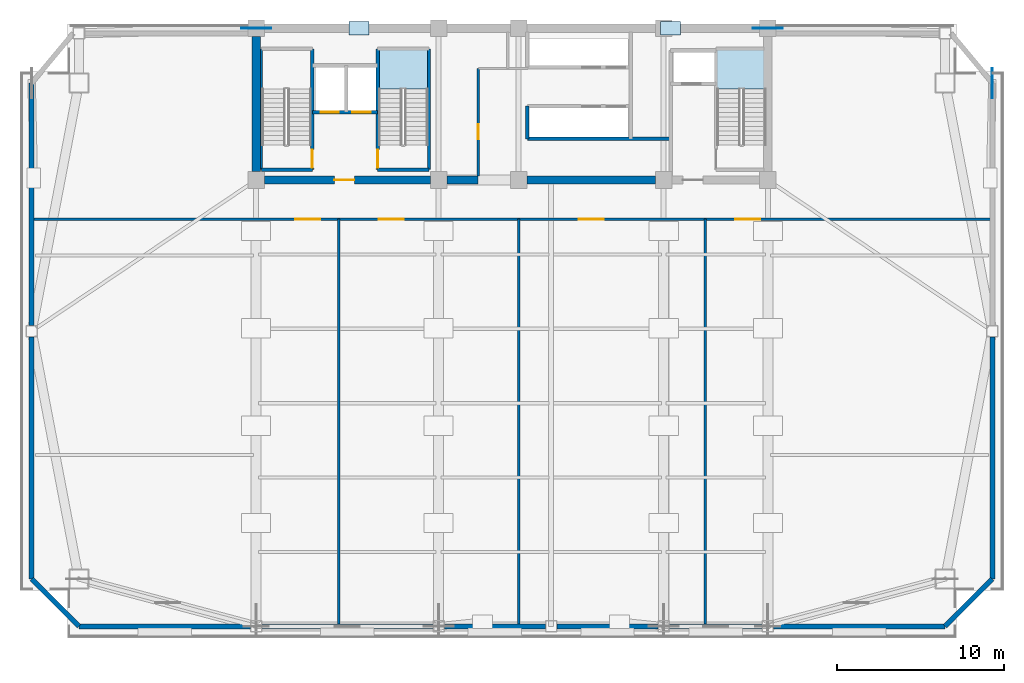
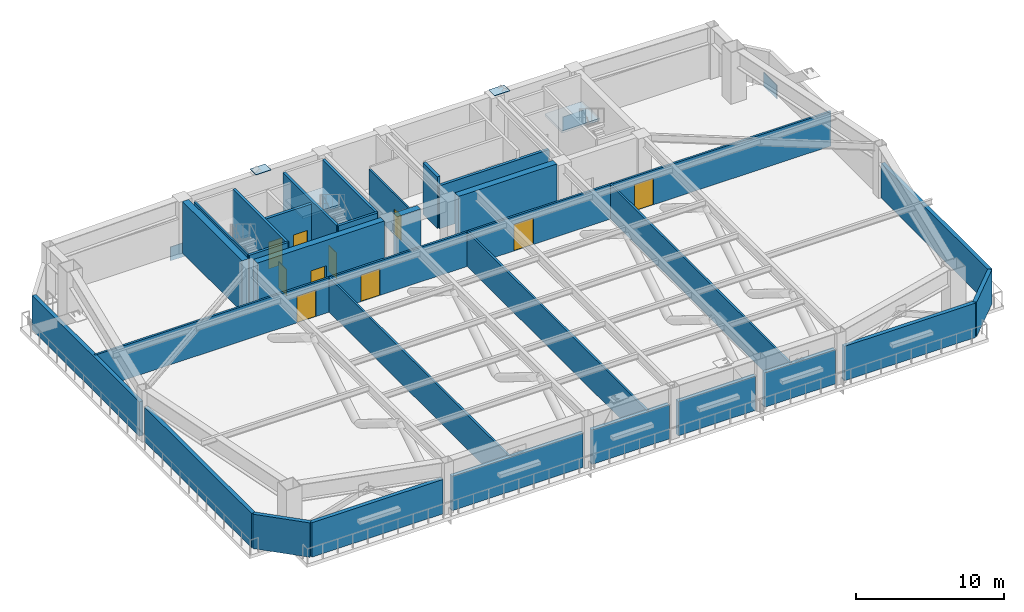
# One storey, part 3 of 11: 29 walls, 10 doors, 5 plates, 2 slabs, 10 openings, 2 elements without a shape of their own.
"""IFC4 building model written with IfcOpenShell, lengths in metres."""

import ifcopenshell
import ifcopenshell.guid

model = None  # the IFC model being written
_history = None  # IfcOwnerHistory: only IFC2X3 demands one
_inside = {}  # id of a spatial element -> (the spatial element, [elements in it])
_under = {}  # id of a project, library or spatial element -> (it, [spatial elements below it])
_declared = {}  # id of a project -> (the project, [libraries it declares])
_typed = {}  # id of a type object -> (the type object, [elements of that type])
_made_of = {}  # id of a material, layer set ... -> (it, [elements and type objects made of it])


def new_model(schema):
    """Start an empty IFC model of exactly this schema.

    Asked for "IFC4X3", IfcOpenShell would pick the latest addendum, in which some entities
    have other attributes; the version numbers below select the first issue.
    IFC2X3 requires an IfcOwnerHistory on every rooted entity: one is made here for all.
    """
    global model, _history
    if schema == "IFC4X3":
        model = ifcopenshell.file(schema_version=(4, 3, 0, 0))
    else:
        model = ifcopenshell.file(schema=schema)
    _inside.clear()
    _under.clear()
    _declared.clear()
    _typed.clear()
    _made_of.clear()
    _history = None
    if model.schema == "IFC2X3":
        org = make("IfcOrganization", Name="unknown")
        user = make(
            "IfcPersonAndOrganization",
            ThePerson=make("IfcPerson", FamilyName="unknown"),
            TheOrganization=org,
        )
        app = make(
            "IfcApplication",
            ApplicationDeveloper=org,
            Version="unknown",
            ApplicationFullName="unknown",
            ApplicationIdentifier="unknown",
        )
        _history = make(
            "IfcOwnerHistory",
            OwningUser=user,
            OwningApplication=app,
            ChangeAction="ADDED",
            CreationDate=0,
        )
    return model


def make(cls, **values):
    """One entity of the class cls with the attributes given. An attribute that is None is left unset."""
    return model.create_entity(
        cls, **{name: value for name, value in values.items() if value is not None}
    )


def rooted(cls, **values):
    """An entity with a GlobalId (a new one), such as an element, a storey or a relation."""
    return make(cls, GlobalId=ifcopenshell.guid.new(), OwnerHistory=_history, **values)


def si_unit(unit_type, name, prefix=None):
    """IfcSIUnit, for example si_unit("LENGTHUNIT", "METRE", prefix="MILLI")."""
    return make("IfcSIUnit", UnitType=unit_type, Prefix=prefix, Name=name)


def assignment(units):
    """IfcUnitAssignment: the units of a project."""
    return None if units is None else make("IfcUnitAssignment", Units=units)


def point(xyz):
    """IfcCartesianPoint."""
    return None if xyz is None else make("IfcCartesianPoint", Coordinates=xyz)


def direction(xyz):
    """IfcDirection."""
    return None if xyz is None else make("IfcDirection", DirectionRatios=xyz)


def frame(location, z_axis=None, x_axis=None):
    """IfcAxis2Placement3D, a coordinate frame: its origin and axes. An axis left out is left unset."""
    return make(
        "IfcAxis2Placement3D",
        Location=point(location),
        Axis=direction(z_axis),
        RefDirection=direction(x_axis),
    )


def frame_2d(location, x_axis=None):
    """IfcAxis2Placement2D, a coordinate frame in the plane: its origin and x axis."""
    return make(
        "IfcAxis2Placement2D", Location=point(location), RefDirection=direction(x_axis)
    )


def origin():
    """The frame at (0, 0, 0) with its axes left unset."""
    return frame((0.0, 0.0, 0.0))


def origin_2d():
    """The frame at (0, 0) in the plane with its x axis left unset."""
    return frame_2d((0.0, 0.0))


def place(relative_to, where):
    """IfcLocalPlacement: puts the frame where relative to a parent placement (None: the world)."""
    return make(
        "IfcLocalPlacement", PlacementRelTo=relative_to, RelativePlacement=where
    )


def context(
    kind, dimensions, precision=None, world=None, true_north=None, identifier=None
):
    """IfcGeometricRepresentationContext, for example the 3D "Model" context."""
    return make(
        "IfcGeometricRepresentationContext",
        ContextIdentifier=identifier,
        ContextType=kind,
        CoordinateSpaceDimension=dimensions,
        Precision=precision,
        WorldCoordinateSystem=world,
        TrueNorth=true_north,
    )


def subcontext(parent, identifier, kind, view, scale=None):
    """IfcGeometricRepresentationSubContext, for example "Body" below "Model"."""
    return make(
        "IfcGeometricRepresentationSubContext",
        ContextIdentifier=identifier,
        ContextType=kind,
        ParentContext=parent,
        TargetScale=scale,
        TargetView=view,
    )


def project(units=None, contexts=None):
    """IfcProject with its units and contexts."""
    return rooted(
        "IfcProject",
        Name="project",
        RepresentationContexts=contexts,
        UnitsInContext=assignment(units),
    )


def spatial(cls, under=None, at=None, **own):
    """A site, building, storey or space (cls), placed at a placement, below another one or the project."""
    s = rooted(cls, ObjectPlacement=at, **own)
    if under is not None:
        _under.setdefault(under.id(), (under, []))[1].append(s)
    return s


def polyline(points):
    """IfcPolyline through the points."""
    return make("IfcPolyline", Points=[point(p) for p in points])


def profile(cls, at=None, kind="AREA", **sizes):
    """A parametric profile (cls). Its sizes go by their IFC names, for example OverallWidth=200.0."""
    return make(cls, ProfileType=kind, Position=at, **sizes)


def rectangle(**sizes):
    """IfcRectangleProfileDef."""
    return profile("IfcRectangleProfileDef", **sizes)


def outline(outer, holes=None, kind="AREA"):
    """IfcArbitraryClosedProfileDef: a profile drawn as a closed curve; with holes, ...WithVoids."""
    if holes is None:
        return make("IfcArbitraryClosedProfileDef", ProfileType=kind, OuterCurve=outer)
    return make(
        "IfcArbitraryProfileDefWithVoids",
        ProfileType=kind,
        OuterCurve=outer,
        InnerCurves=holes,
    )


def extrude(swept, where, along, depth):
    """IfcExtrudedAreaSolid: the profile swept, set in the frame where, extruded along a direction by depth."""
    return make(
        "IfcExtrudedAreaSolid",
        SweptArea=swept,
        Position=where,
        ExtrudedDirection=direction(along),
        Depth=depth,
    )


def shape(context_of_items, identifier, shape_type, items):
    """IfcShapeRepresentation: the items that make up one representation, for example the "Body"."""
    return make(
        "IfcShapeRepresentation",
        ContextOfItems=context_of_items,
        RepresentationIdentifier=identifier,
        RepresentationType=shape_type,
        Items=items,
    )


def source(mapping_origin, context_of_items, identifier, shape_type, items):
    """IfcRepresentationMap: a shape defined once, which mapped items show again and again."""
    return make(
        "IfcRepresentationMap",
        MappingOrigin=mapping_origin,
        MappedRepresentation=shape(context_of_items, identifier, shape_type, items),
    )


def transform(
    local_origin,
    x_axis=None,
    y_axis=None,
    z_axis=None,
    scale=None,
    scale2=None,
    scale3=None,
    uniform=True,
):
    """IfcCartesianTransformationOperator3D, or its non-uniform kind. x_axis, y_axis, z_axis: its Axis1, 2, 3."""
    if uniform:
        return make(
            "IfcCartesianTransformationOperator3D",
            Axis1=direction(x_axis),
            Axis2=direction(y_axis),
            LocalOrigin=point(local_origin),
            Scale=scale,
            Axis3=direction(z_axis),
        )
    return make(
        "IfcCartesianTransformationOperator3DnonUniform",
        Axis1=direction(x_axis),
        Axis2=direction(y_axis),
        LocalOrigin=point(local_origin),
        Scale=scale,
        Axis3=direction(z_axis),
        Scale2=scale2,
        Scale3=scale3,
    )


def mapped(mapping_source, mapping_target):
    """IfcMappedItem: shows the shape of a source again, moved by a transform."""
    return make(
        "IfcMappedItem", MappingSource=mapping_source, MappingTarget=mapping_target
    )


def material(Name=None, Category=None):
    """IfcMaterial."""
    return make("IfcMaterial", Name=Name, Category=Category)


def layer(
    of_material, thickness, ventilated=None, Name=None, Category=None, Priority=None
):
    """IfcMaterialLayer: one layer of a wall or slab, of a material (None: an air gap)."""
    return make(
        "IfcMaterialLayer",
        Material=of_material,
        LayerThickness=thickness,
        IsVentilated=ventilated,
        Name=Name,
        Category=Category,
        Priority=Priority,
    )


def layer_set(layers, Name=None):
    """IfcMaterialLayerSet."""
    return make("IfcMaterialLayerSet", MaterialLayers=layers, LayerSetName=Name)


def made_of(thing, what):
    """Note that an element or type object is made of a material, layer set ...; save() writes the relation."""
    if what is not None:
        _made_of.setdefault(what.id(), (what, []))[1].append(thing)
    return thing


def type_object(cls, material=None, **own):
    """A type object (cls), such as IfcWallType, which elements share."""
    return made_of(rooted(cls, **own), material)


def element(
    cls,
    number,
    at=None,
    inside=None,
    cuts=None,
    type_object=None,
    material=None,
    context=None,
    identifier="Body",
    shape_type=None,
    held_by="IfcProductDefinitionShape",
    body=None,
    shapes=None,
    **own,
):
    """One element of the class cls, such as IfcWall. Its Tag is "e" and its number.

    at: its placement. inside: the storey or other place that contains it. cuts: it is an
    opening in that element (IfcRelVoidsElement). A single representation is given by context,
    identifier, shape_type and body (its items); several are given by shapes. held_by: the class
    of the entity that holds the representations. save() writes the other relations.
    """
    e = rooted(cls, Tag="e%d" % number, ObjectPlacement=at, **own)
    if body is not None:
        shapes = [shape(context, identifier, shape_type, body)]
    if shapes is not None:
        e.Representation = make(held_by, Representations=shapes)
    if inside is not None:
        _inside.setdefault(inside.id(), (inside, []))[1].append(e)
    if cuts is not None:
        rooted(
            "IfcRelVoidsElement", RelatingBuildingElement=cuts, RelatedOpeningElement=e
        )
    if type_object is not None:
        _typed.setdefault(type_object.id(), (type_object, []))[1].append(e)
    return made_of(e, material)


def fill(opening, filler):
    """IfcRelFillsElement: the door or window that sits in an opening."""
    return rooted(
        "IfcRelFillsElement",
        RelatingOpeningElement=opening,
        RelatedBuildingElement=filler,
    )


def aggregate(whole, parts):
    """IfcRelAggregates: a whole, such as a stair, and the parts it consists of."""
    return rooted("IfcRelAggregates", RelatingObject=whole, RelatedObjects=parts)


def save(model, path):
    """Write the relations noted so far, then the file.

    IfcRelAggregates (storeys below a building ...), IfcRelContainedInSpatialStructure (elements
    in a storey), IfcRelDefinesByType, IfcRelAssociatesMaterial and IfcRelDeclares: one each for
    every whole, place, type object, material and project.
    """
    for whole, parts in _under.values():
        aggregate(whole, parts)
    for where, things in _inside.values():
        rooted(
            "IfcRelContainedInSpatialStructure",
            RelatedElements=things,
            RelatingStructure=where,
        )
    for kind, things in _typed.values():
        rooted("IfcRelDefinesByType", RelatedObjects=things, RelatingType=kind)
    for what, things in _made_of.values():
        rooted("IfcRelAssociatesMaterial", RelatedObjects=things, RelatingMaterial=what)
    for by, libraries in _declared.values():
        rooted("IfcRelDeclares", RelatingContext=by, RelatedDefinitions=libraries)
    model.write(path)


model = new_model("IFC4")

# Units and contexts
model_context = context("Model", 3, precision=1e-05, world=origin(), true_north=direction((0.0, 1.0)))
body_context = subcontext(model_context, "Body", "Model", "MODEL_VIEW")
ifc_project = project(units=[si_unit("LENGTHUNIT", "METRE"), si_unit("AREAUNIT", "SQUARE_METRE"), si_unit("VOLUMEUNIT", "CUBIC_METRE"), si_unit("PLANEANGLEUNIT", "RADIAN"), si_unit("MASSUNIT", "GRAM", prefix="KILO")], contexts=[model_context])

# Site, building, storey
site_placement = place(None, origin())
site = spatial("IfcSite", under=ifc_project, at=site_placement, CompositionType="ELEMENT")
building_placement = place(site_placement, origin())
building = spatial("IfcBuilding", under=site, at=building_placement, Name="Giltprow Tower", CompositionType="ELEMENT")
storey_placement = place(building_placement, frame((0.0, 0.0, 191.199951171875)))
storey = spatial("IfcBuildingStorey", under=building, at=storey_placement, Name="L48", CompositionType="ELEMENT", Elevation=191.199951171875)

# Stair, slab
ifc_material_1 = material(Name="Concrete C40", Category="concrete")
stair_type_1 = type_object("IfcStairType", Name="STR-ST-2", PredefinedType="HALF_TURN_STAIR", material=ifc_material_1)
stair_1_placement = place(storey_placement, origin())
stair_1 = element("IfcStair", 1, at=stair_1_placement, inside=storey, type_object=stair_type_1, Name="L48 Core Exit Stair ST-2", PredefinedType="HALF_TURN_STAIR")
ifc_layer_1 = layer(ifc_material_1, 0.18798828125, Name="Concrete C40")
ifc_layer_set_1 = layer_set([ifc_layer_1], Name="Concrete C40")
slab_type_1 = type_object("IfcSlabType", Name="SLD-ST-2", PredefinedType="LANDING", material=ifc_layer_set_1)
slab_1_placement = place(storey_placement, frame((0.0, 0.0, 2.06201171875)))
slab_1 = element("IfcSlab", 2, at=slab_1_placement, type_object=slab_type_1, Name="ST-2 landing 1", PredefinedType="LANDING", context=body_context, shape_type="SweptSolid", body=[
    extrude(outline(polyline([(30.159912109375, 42.909912109375), (30.159912109375, 45.25), (27.199951171875, 45.25), (27.199951171875, 42.909912109375), (30.159912109375, 42.909912109375)])), origin(), (0.0, 0.0, 1.0), 0.18798828125),
])
aggregate(stair_1, [slab_1])

stair_type_2 = type_object("IfcStairType", Name="STR-ST-3", PredefinedType="HALF_TURN_STAIR", material=ifc_material_1)
stair_2_placement = place(storey_placement, origin())
stair_2 = element("IfcStair", 3, at=stair_2_placement, inside=storey, type_object=stair_type_2, Name="L48 Core Exit Stair ST-3", PredefinedType="HALF_TURN_STAIR")
ifc_layer_2 = layer(ifc_material_1, 0.196044921875, Name="Concrete C40")
ifc_layer_set_2 = layer_set([ifc_layer_2], Name="Concrete C40")
slab_type_2 = type_object("IfcSlabType", Name="SLD-ST-3", PredefinedType="LANDING", material=ifc_layer_set_2)
slab_2_placement = place(storey_placement, frame((0.0, 0.0, 2.053955078125)))
slab_2 = element("IfcSlab", 4, at=slab_2_placement, type_object=slab_type_2, Name="ST-3 landing 1", PredefinedType="LANDING", context=body_context, shape_type="SweptSolid", body=[
    extrude(outline(polyline([(50.4599609375, 42.909912109375), (50.4599609375, 45.25), (47.5, 45.25), (47.5, 42.909912109375), (50.4599609375, 42.909912109375)])), origin(), (0.0, 0.0, 1.0), 0.196044921875),
])
aggregate(stair_2, [slab_2])

# Plates
ifc_material_2 = material(Name="Structural steel Q420GJC", Category="steel")
plate_type_1 = type_object("IfcPlateType", Name="PLT-NODE-MBN1", PredefinedType="USERDEFINED", material=ifc_material_2)
shared_shape_1 = source(origin(), body_context, "Body", "SweptSolid", [
    extrude(rectangle(XDim=1.800048828125, YDim=0.050048828125, at=origin_2d()), origin(), (0.0, 0.0, 1.0), 1.14990234375),
])
for number, where, z_axis, x_axis, name in (
    (5, (19.85009765625, 46.550048828125, -0.71484375), (0.0, 0.0, 1.0), (1.0, 0.0, 0.0), "Mega-Brace Node L48-N-LA"),
    (6, (50.550048828125, 46.550048828125, -0.71484375), (0.0, 0.0, 1.0), (1.0, 0.0, 0.0), "Mega-Brace Node L48-N-RA"),
    (7, (64.011962890625, 43.264892578125, -0.574951171875), (0.0, 0.0, 1.0), (0.0, 1.0, 0.0), "Mega-Brace Node L48-E-RA"),
):
    element("IfcPlate", number, at=place(storey_placement, frame(where, z_axis=z_axis, x_axis=x_axis)), inside=storey, type_object=plate_type_1, Name=name, ObjectType="GUSSET", PredefinedType="USERDEFINED", context=body_context, shape_type="MappedRepresentation", body=[
        mapped(shared_shape_1, transform((0.0, 0.0, 0.0), x_axis=(1.0, 0.0, 0.0), y_axis=(0.0, 1.0, 0.0), z_axis=(0.0, 0.0, 1.0), scale=1.0)),
    ])
plate_type_2 = type_object("IfcPlateType", Name="PLT-CAP-SEAL", PredefinedType="USERDEFINED", material=ifc_material_2)
shared_shape_2 = source(origin(), body_context, "Body", "SweptSolid", [
    extrude(rectangle(XDim=1.199951171875, YDim=0.800048828125, at=origin_2d()), origin(), (0.0, 0.0, 1.0), 0.034912109375),
])
for number, where, z_axis, x_axis, name in (
    (8, (26.012939453125, 46.550048828125, 4.3427734375), (0.0, 0.0, 1.0), (1.0, 0.0, 0.0), "Mega-Brace Node L48-N-LB"),
    (9, (44.699951171875, 46.550048828125, 4.3427734375), (0.0, 0.0, 1.0), (1.0, 0.0, 0.0), "Mega-Brace Node L48-N-RB"),
):
    element("IfcPlate", number, at=place(storey_placement, frame(where, z_axis=z_axis, x_axis=x_axis)), inside=storey, type_object=plate_type_2, Name=name, ObjectType="SPLICE", PredefinedType="USERDEFINED", context=body_context, shape_type="MappedRepresentation", body=[
        mapped(shared_shape_2, transform((0.0, 0.0, 0.0), x_axis=(1.0, 0.0, 0.0), y_axis=(0.0, 1.0, 0.0), z_axis=(0.0, 0.0, 1.0), scale=1.0)),
    ])

# Walls
ifc_material_3 = material(Name="Precast concrete C40", Category="concrete")
ifc_layer_3 = layer(ifc_material_3, 0.300048828125, Name="Precast concrete C40")
ifc_layer_set_3 = layer_set([ifc_layer_3], Name="Precast concrete C40")
wall_type_1 = type_object("IfcWallType", Name="EW-NOTCH-CHAMFER-300", PredefinedType="SOLIDWALL", material=ifc_layer_set_3)
wall_1_placement = place(storey_placement, frame((6.388916015625, 13.514892578125, 0.0), z_axis=(0.0, 0.0, 1.0), x_axis=(0.707137226464, -0.707076334599, 0.0)))
element("IfcWall", 10, at=wall_1_placement, inside=storey, type_object=wall_type_1, Name="L48 Corner Notch Wall SW", PredefinedType="SOLIDWALL", context=body_context, shape_type="SweptSolid", body=[
    extrude(rectangle(XDim=4.009521484375, YDim=0.300048828125, at=frame_2d((2.0048828125, 0.0))), origin(), (0.0, 0.0, 1.0), 2.85009765625),
])
wall_2_placement = place(storey_placement, frame((61.177001953125, 10.679931640625, 0.0), z_axis=(0.0, 0.0, 1.0), x_axis=(0.707106781187, 0.707106781187, 0.0)))
element("IfcWall", 11, at=wall_2_placement, inside=storey, type_object=wall_type_1, Name="L48 Corner Notch Wall SE", PredefinedType="SOLIDWALL", context=body_context, shape_type="SweptSolid", body=[
    extrude(rectangle(XDim=4.00927734375, YDim=0.300048828125, at=frame_2d((2.004638671875, 0.0))), origin(), (0.0, 0.0, 1.0), 2.85009765625),
])
ifc_layer_4 = layer(ifc_material_3, 0.300048828125, Name="Precast concrete C40")
ifc_layer_set_4 = layer_set([ifc_layer_4], Name="Precast concrete C40")
wall_type_2 = type_object("IfcWallType", Name="EW-REF-LOUVRE-300", PredefinedType="SOLIDWALL", material=ifc_layer_set_4)
wall_3_placement = place(storey_placement, frame((9.22412109375, 10.679931640625, 0.0), z_axis=(0.0, 0.0, 1.0), x_axis=(1.0, 0.0, 0.0)))
element("IfcWall", 12, at=wall_3_placement, inside=storey, type_object=wall_type_2, Name="L48 South Expressed Frame Wall 1", PredefinedType="SOLIDWALL", context=body_context, shape_type="SweptSolid", body=[
    extrude(rectangle(XDim=10.27587890625, YDim=0.300048828125, at=frame_2d((5.137939453125, 0.0))), origin(), (0.0, 0.0, 1.0), 2.85009765625),
])
wall_4_placement = place(storey_placement, frame((20.199951171875, 10.679931640625, 0.0), z_axis=(0.0, 0.0, 1.0), x_axis=(1.0, 0.0, 0.0)))
element("IfcWall", 13, at=wall_4_placement, inside=storey, type_object=wall_type_2, Name="L48 South Expressed Frame Wall 2", PredefinedType="SOLIDWALL", context=body_context, shape_type="SweptSolid", body=[
    extrude(rectangle(XDim=10.25, YDim=0.300048828125, at=frame_2d((5.125, 0.0))), origin(), (0.0, 0.0, 1.0), 2.85009765625),
])
for number, where, z_axis, x_axis, name in (
    (14, (31.14990234375, 10.679931640625, 0.0), (0.0, 0.0, 1.0), (1.0, 0.0, 0.0), "L48 South Expressed Frame Wall 3"),
    (15, (37.89990234375, 10.679931640625, 0.0), (0.0, 0.0, 1.0), (1.0, 0.0, 0.0), "L48 South Expressed Frame Wall 4"),
):
    element("IfcWall", number, at=place(storey_placement, frame(where, z_axis=z_axis, x_axis=x_axis)), inside=storey, type_object=wall_type_2, Name=name, PredefinedType="SOLIDWALL", context=body_context, shape_type="SweptSolid", body=[
        extrude(rectangle(XDim=6.050048828125, YDim=0.300048828125, at=frame_2d((3.02490234375, 0.0))), origin(), (0.0, 0.0, 1.0), 2.85009765625),
    ])
wall_5_placement = place(storey_placement, frame((44.64990234375, 10.679931640625, 0.0), z_axis=(0.0, 0.0, 1.0), x_axis=(1.0, 0.0, 0.0)))
element("IfcWall", 16, at=wall_5_placement, inside=storey, type_object=wall_type_2, Name="L48 South Expressed Frame Wall 5", PredefinedType="SOLIDWALL", context=body_context, shape_type="SweptSolid", body=[
    extrude(rectangle(XDim=5.550048828125, YDim=0.300048828125, at=frame_2d((2.77490234375, 0.0))), origin(), (0.0, 0.0, 1.0), 2.85009765625),
])
wall_6_placement = place(storey_placement, frame((50.89990234375, 10.679931640625, 0.0), z_axis=(0.0, 0.0, 1.0), x_axis=(1.0, 0.0, 0.0)))
element("IfcWall", 17, at=wall_6_placement, inside=storey, type_object=wall_type_2, Name="L48 South Expressed Frame Wall 6", PredefinedType="SOLIDWALL", context=body_context, shape_type="SweptSolid", body=[
    extrude(rectangle(XDim=10.277099609375, YDim=0.300048828125, at=frame_2d((5.138671875, 0.0))), origin(), (0.0, 0.0, 1.0), 2.85009765625),
])
wall_7_placement = place(storey_placement, frame((6.388916015625, 13.514892578125, 0.0), z_axis=(0.0, 0.0, 1.0), x_axis=(0.0, 1.0, 0.0)))
element("IfcWall", 18, at=wall_7_placement, inside=storey, type_object=wall_type_2, Name="L48 W Wing Masonry Wall 1", PredefinedType="SOLIDWALL", context=body_context, shape_type="SweptSolid", body=[
    extrude(rectangle(XDim=14.525146484375, YDim=0.300048828125, at=frame_2d((7.2626953125, 0.0))), origin(), (0.0, 0.0, 1.0), 2.85009765625),
])
wall_8_placement = place(storey_placement, frame((6.388916015625, 28.739990234375, 0.0), z_axis=(0.0, 0.0, 1.0), x_axis=(0.0, 1.0, 0.0)))
element("IfcWall", 19, at=wall_8_placement, inside=storey, type_object=wall_type_2, Name="L48 W Wing Masonry Wall 2", PredefinedType="SOLIDWALL", context=body_context, shape_type="SweptSolid", body=[
    extrude(rectangle(XDim=14.52490234375, YDim=0.300048828125, at=frame_2d((7.262451171875, 0.0))), origin(), (0.0, 0.0, 1.0), 2.85009765625),
])
wall_9_placement = place(storey_placement, frame((64.011962890625, 13.514892578125, 0.0), z_axis=(0.0, 0.0, 1.0), x_axis=(0.0, 1.0, 0.0)))
element("IfcWall", 20, at=wall_9_placement, inside=storey, type_object=wall_type_2, Name="L48 E Wing Masonry Wall 1", PredefinedType="SOLIDWALL", context=body_context, shape_type="SweptSolid", body=[
    extrude(rectangle(XDim=14.525146484375, YDim=0.300048828125, at=frame_2d((7.2626953125, 0.0))), origin(), (0.0, 0.0, 1.0), 2.85009765625),
])

# Wall, openings, doors
ifc_material_4 = material(Name="Gypsum stud partition", Category="gypsum")
ifc_layer_5 = layer(ifc_material_4, 0.159912109375, Name="Gypsum stud partition")
ifc_layer_set_5 = layer_set([ifc_layer_5], Name="Gypsum stud partition")
wall_type_3 = type_object("IfcWallType", Name="IW-DEMISE-160", PredefinedType="PARTITIONING", material=ifc_layer_set_5)
wall_10_placement = place(storey_placement, frame((6.388916015625, 35.10009765625, 0.0), z_axis=(0.0, 0.0, 1.0), x_axis=(1.0, 0.0, 0.0)))
wall_10 = element("IfcWall", 21, at=wall_10_placement, inside=storey, type_object=wall_type_3, Name="L48 Refuge and Plant Corridor Wall", PredefinedType="PARTITIONING", context=body_context, shape_type="SweptSolid", body=[
    extrude(rectangle(XDim=57.623046875, YDim=0.159912109375, at=frame_2d((28.8115234375, 0.0))), origin(), (0.0, 0.0, 1.0), 2.85498046875),
])
opening_1_placement = place(wall_10_placement, frame((15.81103515625, 0.0, 0.0)))
opening_1 = element("IfcOpeningElement", 22, at=opening_1_placement, cuts=wall_10, Name="Opening ID25", PredefinedType="OPENING", context=body_context, shape_type="SweptSolid", body=[
    extrude(rectangle(XDim=1.5, YDim=2.199951171875, at=frame_2d((0.75, 1.10009765625))), frame((0.0, 0.08984375, 0.0), z_axis=(0.0, -1.0, 0.0), x_axis=(1.0, 0.0, 0.0)), (0.0, 0.0, 1.0), 0.179931640625),
])
opening_2_placement = place(wall_10_placement, frame((20.81103515625, 0.0, 0.0)))
opening_2 = element("IfcOpeningElement", 23, at=opening_2_placement, cuts=wall_10, Name="Opening ID25", PredefinedType="OPENING", context=body_context, shape_type="SweptSolid", body=[
    extrude(rectangle(XDim=1.5, YDim=2.199951171875, at=frame_2d((0.75, 1.10009765625))), frame((0.0, 0.08984375, 0.0), z_axis=(0.0, -1.0, 0.0), x_axis=(1.0, 0.0, 0.0)), (0.0, 0.0, 1.0), 0.179931640625),
])
opening_3_placement = place(wall_10_placement, frame((32.81103515625, 0.0, 0.0)))
opening_3 = element("IfcOpeningElement", 24, at=opening_3_placement, cuts=wall_10, Name="Opening ID25", PredefinedType="OPENING", context=body_context, shape_type="SweptSolid", body=[
    extrude(rectangle(XDim=1.5, YDim=2.199951171875, at=frame_2d((0.75, 1.10009765625))), frame((0.0, 0.08984375, 0.0), z_axis=(0.0, -1.0, 0.0), x_axis=(1.0, 0.0, 0.0)), (0.0, 0.0, 1.0), 0.179931640625),
])
opening_4_placement = place(wall_10_placement, frame((42.2109375, 0.0, 0.0)))
opening_4 = element("IfcOpeningElement", 25, at=opening_4_placement, cuts=wall_10, Name="Opening ID25", PredefinedType="OPENING", context=body_context, shape_type="SweptSolid", body=[
    extrude(rectangle(XDim=1.5, YDim=2.199951171875, at=frame_2d((0.75, 1.10009765625))), frame((0.0, 0.08984375, 0.0), z_axis=(0.0, -1.0, 0.0), x_axis=(1.0, 0.0, 0.0)), (0.0, 0.0, 1.0), 0.179931640625),
])
ifc_material_5 = material(Name="Steel fire leaf", Category="steel")
door_type_1 = type_object("IfcDoorType", Name="DR-PLANT-1500", OperationType="DOUBLE_SWING_LEFT", PredefinedType="DOOR", material=ifc_material_5)
shared_shape_3 = source(origin(), body_context, "Body", "SweptSolid", [
    extrude(rectangle(XDim=1.5, YDim=2.199951171875, at=frame_2d((0.75, 1.10009765625))), frame((0.0, 0.02490234375, 0.0), z_axis=(0.0, -1.0, 0.0), x_axis=(1.0, 0.0, 0.0)), (0.0, 0.0, 1.0), 0.050048828125),
])
door_1_placement = place(opening_1_placement, origin())
door_1 = element("IfcDoor", 26, at=door_1_placement, inside=storey, type_object=door_type_1, Name="L48 Pressurized Fire Refuge Holding Area West Door", OperationType="DOUBLE_SWING_LEFT", OverallHeight=2.199951171875, OverallWidth=1.5, PredefinedType="DOOR", context=body_context, shape_type="MappedRepresentation", body=[
    mapped(shared_shape_3, transform((0.0, 0.0, 0.0), x_axis=(1.0, 0.0, 0.0), y_axis=(0.0, 1.0, 0.0), z_axis=(0.0, 0.0, 1.0), scale=1.0)),
])
fill(opening_1, door_1)
door_2_placement = place(opening_2_placement, origin())
door_2 = element("IfcDoor", 27, at=door_2_placement, inside=storey, type_object=door_type_1, Name="L48 Zone Air Handling and Smoke Dampers Plant Door", OperationType="DOUBLE_SWING_LEFT", OverallHeight=2.199951171875, OverallWidth=1.5, PredefinedType="DOOR", context=body_context, shape_type="MappedRepresentation", body=[
    mapped(shared_shape_3, transform((0.0, 0.0, 0.0), x_axis=(1.0, 0.0, 0.0), y_axis=(0.0, 1.0, 0.0), z_axis=(0.0, 0.0, 1.0), scale=1.0)),
])
fill(opening_2, door_2)
door_3_placement = place(opening_3_placement, origin())
door_3 = element("IfcDoor", 28, at=door_3_placement, inside=storey, type_object=door_type_1, Name="L48 High-Zone Heat Exchanger and Pump Plant Door", OperationType="DOUBLE_SWING_LEFT", OverallHeight=2.199951171875, OverallWidth=1.5, PredefinedType="DOOR", context=body_context, shape_type="MappedRepresentation", body=[
    mapped(shared_shape_3, transform((0.0, 0.0, 0.0), x_axis=(1.0, 0.0, 0.0), y_axis=(0.0, 1.0, 0.0), z_axis=(0.0, 0.0, 1.0), scale=1.0)),
])
fill(opening_3, door_3)
door_4_placement = place(opening_4_placement, origin())
door_4 = element("IfcDoor", 29, at=door_4_placement, inside=storey, type_object=door_type_1, Name="L48 Pressurized Fire Refuge Holding Area East Door", OperationType="DOUBLE_SWING_LEFT", OverallHeight=2.199951171875, OverallWidth=1.5, PredefinedType="DOOR", context=body_context, shape_type="MappedRepresentation", body=[
    mapped(shared_shape_3, transform((0.0, 0.0, 0.0), x_axis=(1.0, 0.0, 0.0), y_axis=(0.0, 1.0, 0.0), z_axis=(0.0, 0.0, 1.0), scale=1.0)),
])
fill(opening_4, door_4)

# Walls
for number, where, z_axis, x_axis, name in (
    (30, (24.800048828125, 10.679931640625, 0.0), (0.0, 0.0, 1.0), (0.0, 1.0, 0.0), "L48 Refuge Compartment Wall 1"),
    (31, (35.60009765625, 10.679931640625, 0.0), (0.0, 0.0, 1.0), (0.0, 1.0, 0.0), "L48 Refuge Compartment Wall 2"),
    (32, (46.800048828125, 10.679931640625, 0.0), (0.0, 0.0, 1.0), (0.0, 1.0, 0.0), "L48 Refuge Compartment Wall 3"),
):
    element("IfcWall", number, at=place(storey_placement, frame(where, z_axis=z_axis, x_axis=x_axis)), inside=storey, type_object=wall_type_3, Name=name, PredefinedType="PARTITIONING", context=body_context, shape_type="SweptSolid", body=[
        extrude(rectangle(XDim=24.420166015625, YDim=0.159912109375, at=frame_2d((12.2099609375, 0.0))), origin(), (0.0, 0.0, 1.0), 2.85498046875),
    ])

# Wall, openings, doors
ifc_layer_6 = layer(ifc_material_1, 0.219970703125, Name="Concrete C40")
ifc_layer_set_6 = layer_set([ifc_layer_6], Name="Concrete C40")
wall_type_4 = type_object("IfcWallType", Name="IW-SHAFT-220", PredefinedType="SOLIDWALL", material=ifc_layer_set_6)
wall_11_placement = place(storey_placement, frame((23.219970703125, 41.52001953125, 0.0), z_axis=(0.0, 0.0, 1.0), x_axis=(1.0, 0.0, 0.0)))
wall_11 = element("IfcWall", 33, at=wall_11_placement, inside=storey, type_object=wall_type_4, Name="L48 FFL1 and Service Lift Front Wall", PredefinedType="SOLIDWALL", context=body_context, shape_type="SweptSolid", body=[
    extrude(rectangle(XDim=3.919921875, YDim=0.219970703125, at=frame_2d((1.9599609375, 0.0))), origin(), (0.0, 0.0, 1.0), 4.27001953125),
])
opening_5_placement = place(wall_11_placement, frame((0.5, 0.0, 0.0)))
opening_5 = element("IfcOpeningElement", 34, at=opening_5_placement, cuts=wall_11, Name="Opening LD-11", PredefinedType="OPENING", context=body_context, shape_type="SweptSolid", body=[
    extrude(rectangle(XDim=1.10009765625, YDim=2.199951171875, at=frame_2d((0.550048828125, 1.10009765625))), frame((0.0, 0.119873046875, 0.0), z_axis=(0.0, -1.0, 0.0), x_axis=(1.0, 0.0, 0.0)), (0.0, 0.0, 1.0), 0.239990234375),
])
opening_6_placement = place(wall_11_placement, frame((2.39990234375, 0.0, 0.0)))
opening_6 = element("IfcOpeningElement", 35, at=opening_6_placement, cuts=wall_11, Name="Opening LD-11", PredefinedType="OPENING", context=body_context, shape_type="SweptSolid", body=[
    extrude(rectangle(XDim=1.10009765625, YDim=2.199951171875, at=frame_2d((0.550048828125, 1.10009765625))), frame((0.0, 0.119873046875, 0.0), z_axis=(0.0, -1.0, 0.0), x_axis=(1.0, 0.0, 0.0)), (0.0, 0.0, 1.0), 0.239990234375),
])
ifc_material_6 = material(Name="Stainless steel", Category="steel")
door_type_2 = type_object("IfcDoorType", Name="DR-LIFT-LD1100", OperationType="SLIDING_TO_LEFT", PredefinedType="DOOR", material=ifc_material_6)
shared_shape_4 = source(origin(), body_context, "Body", "SweptSolid", [
    extrude(rectangle(XDim=1.10009765625, YDim=2.199951171875, at=frame_2d((0.550048828125, 1.10009765625))), frame((0.0, 0.02490234375, 0.0), z_axis=(0.0, -1.0, 0.0), x_axis=(1.0, 0.0, 0.0)), (0.0, 0.0, 1.0), 0.050048828125),
])
door_5_placement = place(opening_5_placement, origin())
door_5 = element("IfcDoor", 36, at=door_5_placement, inside=storey, type_object=door_type_2, Name="L48 FFL1 Landing Door", OperationType="SLIDING_TO_LEFT", OverallHeight=2.199951171875, OverallWidth=1.10009765625, PredefinedType="DOOR", context=body_context, shape_type="MappedRepresentation", body=[
    mapped(shared_shape_4, transform((0.0, 0.0, 0.0), x_axis=(1.0, 0.0, 0.0), y_axis=(0.0, 1.0, 0.0), z_axis=(0.0, 0.0, 1.0), scale=1.0)),
])
fill(opening_5, door_5)
door_6_placement = place(opening_6_placement, origin())
door_6 = element("IfcDoor", 37, at=door_6_placement, inside=storey, type_object=door_type_2, Name="L48 SVL1 Landing Door", OperationType="SLIDING_TO_LEFT", OverallHeight=2.199951171875, OverallWidth=1.10009765625, PredefinedType="DOOR", context=body_context, shape_type="MappedRepresentation", body=[
    mapped(shared_shape_4, transform((0.0, 0.0, 0.0), x_axis=(1.0, 0.0, 0.0), y_axis=(0.0, 1.0, 0.0), z_axis=(0.0, 0.0, 1.0), scale=1.0)),
])
fill(opening_6, door_6)

# Walls
wall_12_placement = place(storey_placement, frame((36.1201171875, 39.919921875, 0.0), z_axis=(0.0, 0.0, 1.0), x_axis=(1.0, 0.0, 0.0)))
element("IfcWall", 38, at=wall_12_placement, inside=storey, type_object=wall_type_4, Name="L48 Mid-Rise South Lift Back Wall", PredefinedType="SOLIDWALL", context=body_context, shape_type="SweptSolid", body=[
    extrude(rectangle(XDim=8.599853515625, YDim=0.219970703125, at=frame_2d((4.2998046875, 0.0))), origin(), (0.0, 0.0, 1.0), 3.554931640625),
])
wall_13_placement = place(storey_placement, frame((36.1201171875, 39.919921875, 0.0), z_axis=(0.0, 0.0, 1.0), x_axis=(0.0, 1.0, 0.0)))
element("IfcWall", 39, at=wall_13_placement, inside=storey, type_object=wall_type_4, Name="L48 Mid-Rise South Lift West Closure", PredefinedType="SOLIDWALL", context=body_context, shape_type="SweptSolid", body=[
    extrude(rectangle(XDim=1.9599609375, YDim=0.219970703125, at=frame_2d((0.97998046875, 0.0))), origin(), (0.0, 0.0, 1.0), 4.27001953125),
])
ifc_material_7 = material(Name="Concrete C45", Category="concrete")
ifc_layer_7 = layer(ifc_material_7, 0.139892578125, Name="Concrete C45")
ifc_layer_set_7 = layer_set([ifc_layer_7], Name="Concrete C45")
wall_type_5 = type_object("IfcWallType", Name="IW-STAIR-140", PredefinedType="SOLIDWALL", material=ifc_layer_set_7)
wall_14_placement = place(storey_placement, frame((20.169921875, 38.070068359375, 0.0), z_axis=(0.0, 0.0, 1.0), x_axis=(0.0, 1.0, 0.0)))
element("IfcWall", 40, at=wall_14_placement, inside=storey, type_object=wall_type_5, Name="L48 Stair ST-1 West Bearing Wall", PredefinedType="SOLIDWALL", context=body_context, shape_type="SweptSolid", body=[
    extrude(rectangle(XDim=7.25, YDim=0.139892578125, at=frame_2d((3.625, 0.0))), origin(), (0.0, 0.0, 1.0), 4.5),
])

# Wall, opening, door
ifc_layer_8 = layer(ifc_material_1, 0.199951171875, Name="Concrete C40")
ifc_layer_set_8 = layer_set([ifc_layer_8], Name="Concrete C40")
wall_type_6 = type_object("IfcWallType", Name="IW-STAIR-200", PredefinedType="SOLIDWALL", material=ifc_layer_set_8)
wall_15_placement = place(storey_placement, frame((23.219970703125, 38.070068359375, 0.0), z_axis=(0.0, 0.0, 1.0), x_axis=(0.0, 1.0, 0.0)))
wall_15 = element("IfcWall", 41, at=wall_15_placement, inside=storey, type_object=wall_type_6, Name="L48 Stair ST-1 East Bearing Wall", PredefinedType="SOLIDWALL", context=body_context, shape_type="SweptSolid", body=[
    extrude(rectangle(XDim=7.25, YDim=0.199951171875, at=frame_2d((3.625, 0.0))), origin(), (0.0, 0.0, 1.0), 4.5),
])
opening_7_placement = place(wall_15_placement, frame((0.110107421875, 0.0, 0.0)))
opening_7 = element("IfcOpeningElement", 42, at=opening_7_placement, cuts=wall_15, Name="Opening ID33", PredefinedType="OPENING", context=body_context, shape_type="SweptSolid", body=[
    extrude(rectangle(XDim=1.10009765625, YDim=2.14990234375, at=frame_2d((0.550048828125, 1.074951171875))), frame((0.0, 0.10986328125, 0.0), z_axis=(0.0, -1.0, 0.0), x_axis=(1.0, 0.0, 0.0)), (0.0, 0.0, 1.0), 0.219970703125),
])
door_type_3 = type_object("IfcDoorType", Name="DR-STAIR-1100", OperationType="SINGLE_SWING_LEFT", PredefinedType="DOOR", material=ifc_material_5)
shared_shape_5 = source(origin(), body_context, "Body", "SweptSolid", [
    extrude(rectangle(XDim=1.10009765625, YDim=2.14990234375, at=frame_2d((0.550048828125, 1.074951171875))), frame((0.0, 0.02490234375, 0.0), z_axis=(0.0, -1.0, 0.0), x_axis=(1.0, 0.0, 0.0)), (0.0, 0.0, 1.0), 0.050048828125),
])
door_7_placement = place(opening_7_placement, origin())
door_7 = element("IfcDoor", 43, at=door_7_placement, inside=storey, type_object=door_type_3, Name="L48 Stair ST-1 Fire Door", OperationType="SINGLE_SWING_LEFT", OverallHeight=2.14990234375, OverallWidth=1.10009765625, PredefinedType="DOOR", context=body_context, shape_type="MappedRepresentation", body=[
    mapped(shared_shape_5, transform((0.0, 0.0, 0.0), x_axis=(1.0, 0.0, 0.0), y_axis=(0.0, 1.0, 0.0), z_axis=(0.0, 0.0, 1.0), scale=1.0)),
])
fill(opening_7, door_7)

# Wall
wall_16_placement = place(storey_placement, frame((20.169921875, 38.070068359375, 0.0), z_axis=(0.0, 0.0, 1.0), x_axis=(1.0, 0.0, 0.0)))
element("IfcWall", 44, at=wall_16_placement, inside=storey, type_object=wall_type_6, Name="L48 Stair ST-1 South Bearing Wall", PredefinedType="SOLIDWALL", context=body_context, shape_type="SweptSolid", body=[
    extrude(rectangle(XDim=3.050048828125, YDim=0.199951171875, at=frame_2d((1.52490234375, 0.0))), origin(), (0.0, 0.0, 1.0), 4.5),
])

# Wall, opening, door
wall_17_placement = place(storey_placement, frame((27.139892578125, 38.070068359375, 0.0), z_axis=(0.0, 0.0, 1.0), x_axis=(0.0, 1.0, 0.0)))
wall_17 = element("IfcWall", 45, at=wall_17_placement, inside=storey, type_object=wall_type_6, Name="L48 Stair ST-2 West Bearing Wall", PredefinedType="SOLIDWALL", context=body_context, shape_type="SweptSolid", body=[
    extrude(rectangle(XDim=7.25, YDim=0.199951171875, at=frame_2d((3.625, 0.0))), origin(), (0.0, 0.0, 1.0), 4.5),
])
opening_8_placement = place(wall_17_placement, frame((0.110107421875, 0.0, 0.0)))
opening_8 = element("IfcOpeningElement", 46, at=opening_8_placement, cuts=wall_17, Name="Opening ID33", PredefinedType="OPENING", context=body_context, shape_type="SweptSolid", body=[
    extrude(rectangle(XDim=1.10009765625, YDim=2.14990234375, at=frame_2d((0.550048828125, 1.074951171875))), frame((0.0, 0.10986328125, 0.0), z_axis=(0.0, -1.0, 0.0), x_axis=(1.0, 0.0, 0.0)), (0.0, 0.0, 1.0), 0.219970703125),
])
door_8_placement = place(opening_8_placement, origin())
door_8 = element("IfcDoor", 47, at=door_8_placement, inside=storey, type_object=door_type_3, Name="L48 Stair ST-2 Fire Door", OperationType="SINGLE_SWING_RIGHT", OverallHeight=2.14990234375, OverallWidth=1.10009765625, PredefinedType="DOOR", context=body_context, shape_type="MappedRepresentation", body=[
    mapped(shared_shape_5, transform((0.0, 0.0, 0.0), x_axis=(1.0, 0.0, 0.0), y_axis=(0.0, 1.0, 0.0), z_axis=(0.0, 0.0, 1.0), scale=1.0)),
])
fill(opening_8, door_8)

# Walls
wall_18_placement = place(storey_placement, frame((30.219970703125, 38.070068359375, 0.0), z_axis=(0.0, 0.0, 1.0), x_axis=(0.0, 1.0, 0.0)))
element("IfcWall", 48, at=wall_18_placement, inside=storey, type_object=wall_type_6, Name="L48 Stair ST-2 East Bearing Wall", PredefinedType="SOLIDWALL", context=body_context, shape_type="SweptSolid", body=[
    extrude(rectangle(XDim=7.25, YDim=0.199951171875, at=frame_2d((3.625, 0.0))), origin(), (0.0, 0.0, 1.0), 4.5),
])
wall_19_placement = place(storey_placement, frame((27.139892578125, 38.070068359375, 0.0), z_axis=(0.0, 0.0, 1.0), x_axis=(1.0, 0.0, 0.0)))
element("IfcWall", 49, at=wall_19_placement, inside=storey, type_object=wall_type_6, Name="L48 Stair ST-2 South Bearing Wall", PredefinedType="SOLIDWALL", context=body_context, shape_type="SweptSolid", body=[
    extrude(rectangle(XDim=3.080078125, YDim=0.199951171875, at=frame_2d((1.5400390625, 0.0))), origin(), (0.0, 0.0, 1.0), 4.5),
])

# Wall, opening, door
ifc_material_8 = material(Name="Concrete C30", Category="concrete")
ifc_layer_9 = layer(ifc_material_8, 0.1298828125, Name="Concrete C30")
ifc_layer_set_9 = layer_set([ifc_layer_9], Name="Concrete C30")
wall_type_7 = type_object("IfcWallType", Name="IW-WET-130", PredefinedType="PARTITIONING", material=ifc_layer_set_9)
wall_20_placement = place(storey_placement, frame((33.179931640625, 37.679931640625, 0.0), z_axis=(0.0, 0.0, 1.0), x_axis=(0.0, 1.0, 0.0)))
wall_20 = element("IfcWall", 50, at=wall_20_placement, inside=storey, type_object=wall_type_7, Name="L48 Reclaimed Core Room East Wall", PredefinedType="PARTITIONING", context=body_context, shape_type="SweptSolid", body=[
    extrude(rectangle(XDim=6.469970703125, YDim=0.1298828125, at=frame_2d((3.23486328125, 0.0))), origin(), (0.0, 0.0, 1.0), 3.35498046875),
])
opening_9_placement = place(wall_20_placement, frame((2.219970703125, 0.0, 0.0)))
opening_9 = element("IfcOpeningElement", 51, at=opening_9_placement, cuts=wall_20, Name="Opening ID35", PredefinedType="OPENING", context=body_context, shape_type="SweptSolid", body=[
    extrude(rectangle(XDim=0.89990234375, YDim=2.10009765625, at=frame_2d((0.449951171875, 1.050048828125))), frame((0.0, 0.074951171875, 0.0), z_axis=(0.0, -1.0, 0.0), x_axis=(1.0, 0.0, 0.0)), (0.0, 0.0, 1.0), 0.14990234375),
])
door_type_4 = type_object("IfcDoorType", Name="DR-SHAFT-900", OperationType="SINGLE_SWING_LEFT", PredefinedType="DOOR", material=ifc_material_5)
shared_shape_6 = source(origin(), body_context, "Body", "SweptSolid", [
    extrude(rectangle(XDim=0.89990234375, YDim=2.10009765625, at=frame_2d((0.449951171875, 1.050048828125))), frame((0.0, 0.02490234375, 0.0), z_axis=(0.0, -1.0, 0.0), x_axis=(1.0, 0.0, 0.0)), (0.0, 0.0, 1.0), 0.050048828125),
])
door_9_placement = place(opening_9_placement, origin())
door_9 = element("IfcDoor", 52, at=door_9_placement, inside=storey, type_object=door_type_4, Name="L48 Housekeeping and Linen Room Door", OperationType="SINGLE_SWING_RIGHT", OverallHeight=2.10009765625, OverallWidth=0.89990234375, PredefinedType="DOOR", context=body_context, shape_type="MappedRepresentation", body=[
    mapped(shared_shape_6, transform((0.0, 0.0, 0.0), x_axis=(1.0, 0.0, 0.0), y_axis=(0.0, 1.0, 0.0), z_axis=(0.0, 0.0, 1.0), scale=1.0)),
])
fill(opening_9, door_9)

ifc_material_9 = material(Name="Concrete C50", Category="concrete")
ifc_layer_10 = layer(ifc_material_9, 0.5, Name="Concrete C50")
ifc_layer_set_10 = layer_set([ifc_layer_10], Name="Concrete C50")
wall_type_8 = type_object("IfcWallType", Name="SW-INT-500-C50", PredefinedType="SHEAR", material=ifc_layer_set_10)
wall_21_placement = place(storey_placement, frame((20.35009765625, 37.449951171875, 0.0), z_axis=(0.0, 0.0, 1.0), x_axis=(1.0, 0.0, 0.0)))
wall_21 = element("IfcWall", 53, at=wall_21_placement, inside=storey, type_object=wall_type_8, Name="L48 South Rear Core Shear Wall West", PredefinedType="SHEAR", context=body_context, shape_type="SweptSolid", body=[
    extrude(rectangle(XDim=9.949951171875, YDim=0.5, at=frame_2d((4.97509765625, 0.0))), origin(), (0.0, 0.0, 1.0), 4.27001953125),
])
opening_10_placement = place(wall_21_placement, frame((4.199951171875, 0.0, 0.0)))
opening_10 = element("IfcOpeningElement", 54, at=opening_10_placement, cuts=wall_21, Name="Opening ID19", PredefinedType="OPENING", context=body_context, shape_type="SweptSolid", body=[
    extrude(rectangle(XDim=1.199951171875, YDim=2.14990234375, at=frame_2d((0.60009765625, 1.074951171875))), frame((0.0, 0.260009765625, 0.0), z_axis=(0.0, -1.0, 0.0), x_axis=(1.0, 0.0, 0.0)), (0.0, 0.0, 1.0), 0.52001953125),
])
door_type_5 = type_object("IfcDoorType", Name="DR-FFLOBBY-1200", OperationType="SINGLE_SWING_RIGHT", PredefinedType="DOOR", material=ifc_material_5)
shared_shape_7 = source(origin(), body_context, "Body", "SweptSolid", [
    extrude(rectangle(XDim=1.199951171875, YDim=2.14990234375, at=frame_2d((0.60009765625, 1.074951171875))), frame((0.0, 0.02490234375, 0.0), z_axis=(0.0, -1.0, 0.0), x_axis=(1.0, 0.0, 0.0)), (0.0, 0.0, 1.0), 0.050048828125),
])
door_10_placement = place(opening_10_placement, origin())
door_10 = element("IfcDoor", 55, at=door_10_placement, inside=storey, type_object=door_type_5, Name="L48 West Firefighting Lobby Entry Door", OperationType="SINGLE_SWING_RIGHT", OverallHeight=2.14990234375, OverallWidth=1.199951171875, PredefinedType="DOOR", context=body_context, shape_type="MappedRepresentation", body=[
    mapped(shared_shape_7, transform((0.0, 0.0, 0.0), x_axis=(1.0, 0.0, 0.0), y_axis=(0.0, 1.0, 0.0), z_axis=(0.0, 0.0, 1.0), scale=1.0)),
])
fill(opening_10, door_10)

# Walls
wall_22_placement = place(storey_placement, frame((31.300048828125, 37.449951171875, 0.0), z_axis=(0.0, 0.0, 1.0), x_axis=(1.0, 0.0, 0.0)))
element("IfcWall", 56, at=wall_22_placement, inside=storey, type_object=wall_type_8, Name="L48 South Rear Core Shear Wall Mid-West", PredefinedType="SHEAR", context=body_context, shape_type="SweptSolid", body=[
    extrude(rectangle(XDim=1.849853515625, YDim=0.5, at=frame_2d((0.9248046875, 0.0))), origin(), (0.0, 0.0, 1.0), 4.27001953125),
])
wall_23_placement = place(storey_placement, frame((36.10009765625, 37.449951171875, 0.0), z_axis=(0.0, 0.0, 1.0), x_axis=(1.0, 0.0, 0.0)))
element("IfcWall", 57, at=wall_23_placement, inside=storey, type_object=wall_type_8, Name="L48 South Rear Core Shear Wall Mid-East", PredefinedType="SHEAR", context=body_context, shape_type="SweptSolid", body=[
    extrude(rectangle(XDim=7.699951171875, YDim=0.5, at=frame_2d((3.85009765625, 0.0))), origin(), (0.0, 0.0, 1.0), 4.27001953125),
])
wall_24_placement = place(storey_placement, frame((19.85009765625, 37.949951171875, 0.0), z_axis=(0.0, 0.0, 1.0), x_axis=(0.0, 1.0, 0.0)))
element("IfcWall", 58, at=wall_24_placement, inside=storey, type_object=wall_type_8, Name="L48 W Rear Core Shear Wall", PredefinedType="SHEAR", context=body_context, shape_type="SweptSolid", body=[
    extrude(rectangle(XDim=8.10009765625, YDim=0.5, at=frame_2d((4.050048828125, 0.0))), origin(), (0.0, 0.0, 1.0), 4.27001953125),
])

save(model, "model.ifc")
